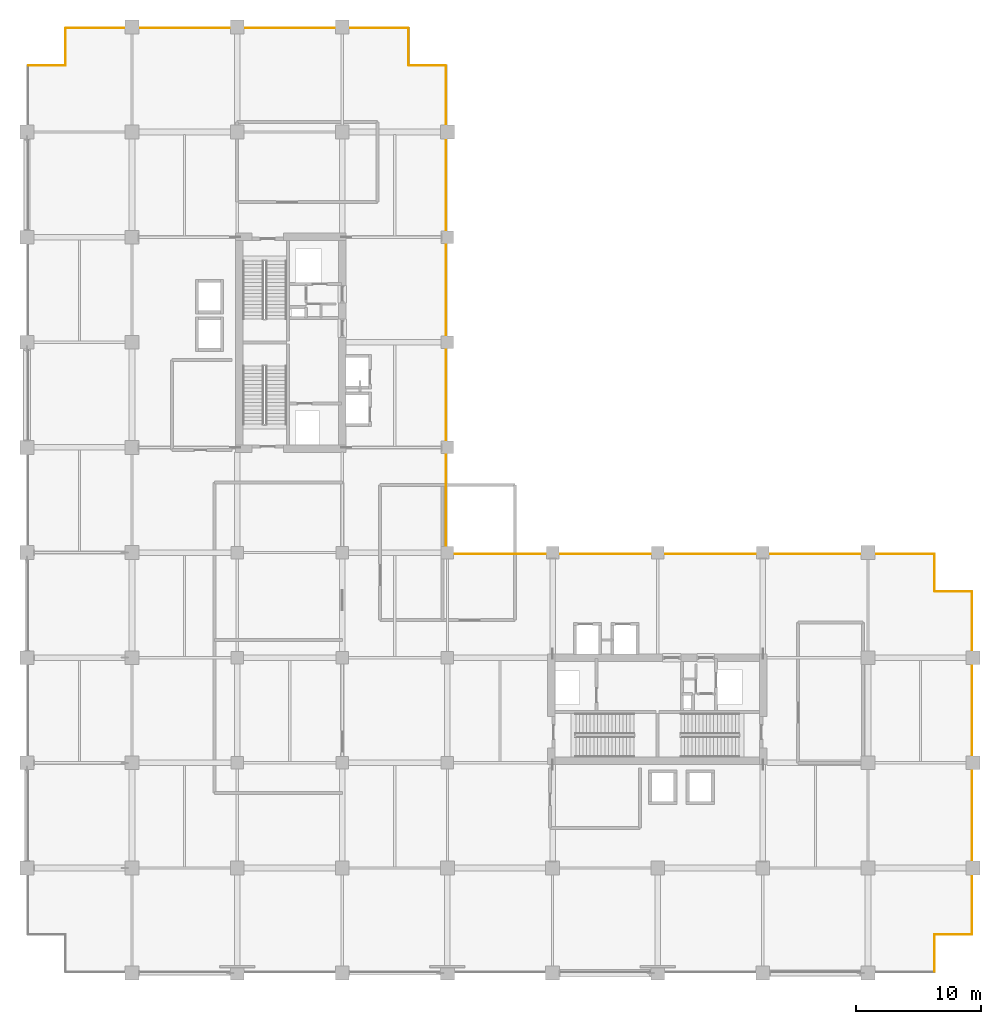
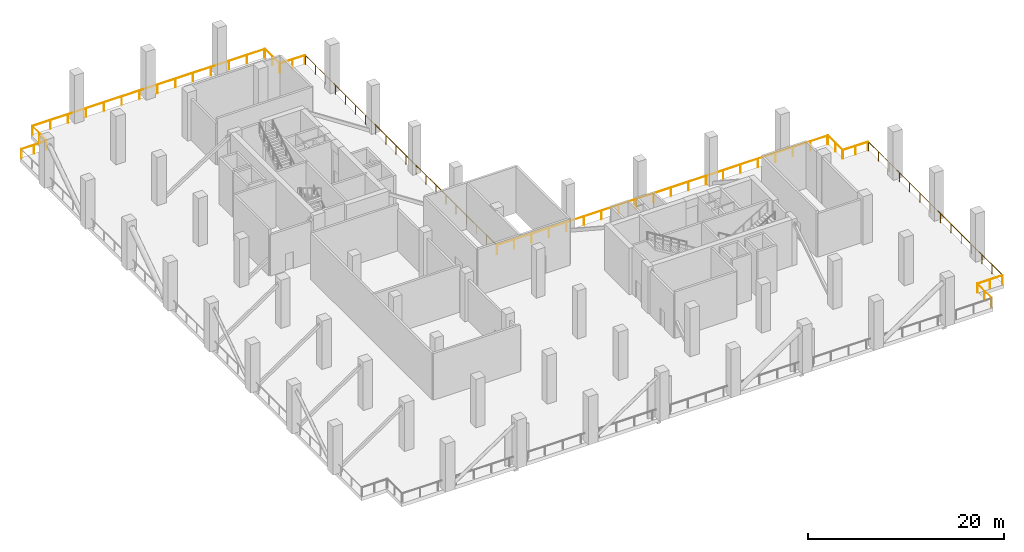
# One storey, part 18 of 18: 12 railings.
"""IFC4 building model written with IfcOpenShell, lengths in metres."""

from ifc_helpers import new_model, si_unit, direction, frame, origin, origin_2d, place, context, subcontext, project, spatial, circle, extrude, material, type_object, element, save


model = new_model("IFC4")

# Units and contexts
model_context = context("Model", 3, precision=1e-05, world=origin(), true_north=direction((0.0, 1.0)))
body_context = subcontext(model_context, "Body", "Model", "MODEL_VIEW")
ifc_project = project(units=[si_unit("LENGTHUNIT", "METRE"), si_unit("AREAUNIT", "SQUARE_METRE"), si_unit("VOLUMEUNIT", "CUBIC_METRE"), si_unit("PLANEANGLEUNIT", "RADIAN"), si_unit("MASSUNIT", "GRAM", prefix="KILO")], contexts=[model_context])

# Site, building, storey
site_placement = place(None, origin())
site = spatial("IfcSite", under=ifc_project, at=site_placement, CompositionType="ELEMENT")
building_placement = place(site_placement, origin())
building = spatial("IfcBuilding", under=site, at=building_placement, Name="Koriwani Terraces Tower", CompositionType="ELEMENT")
storey_placement = place(building_placement, frame((0.0, 0.0, 228.199951171875)))
storey = spatial("IfcBuildingStorey", under=building, at=storey_placement, Name="L56", CompositionType="ELEMENT", Elevation=228.199951171875)

# Railings
ifc_material = material(Name="Steel ASTM A572 Grade 50", Category="steel")
railing_type = type_object("IfcRailingType", Name="GUARD_BALUSTRADE_1150", PredefinedType="BALUSTRADE", material=ifc_material)
railing_1_placement = place(storey_placement, frame((0.135009765625, 72.5, 0.0)))
element("IfcRailing", 1, at=railing_1_placement, inside=storey, type_object=railing_type, Name="L56 Open Wind Floor Perimeter Balustrade Segment 4", PredefinedType="BALUSTRADE", context=body_context, shape_type="SweptSolid", body=[
    extrude(circle(Radius=0.02490234375, at=origin_2d()), frame((0.0, 0.0, 1.125), z_axis=(1.0, 0.0, 0.0), x_axis=(0.0, 1.0, 0.0)), (0.0, 0.0, 1.0), 2.929931640625),
    extrude(circle(Radius=0.0224609375, at=origin_2d()), origin(), (0.0, 0.0, 1.0), 1.099853515625),
    extrude(circle(Radius=0.0224609375, at=origin_2d()), frame((1.46484375, 0.0, 0.0)), (0.0, 0.0, 1.0), 1.099853515625),
    extrude(circle(Radius=0.0224609375, at=origin_2d()), frame((2.929931640625, 0.0, 0.0)), (0.0, 0.0, 1.0), 1.099853515625),
])
railing_2_placement = place(storey_placement, frame((3.10009765625, 72.534912109375, 0.0)))
element("IfcRailing", 2, at=railing_2_placement, inside=storey, type_object=railing_type, Name="L56 Open Wind Floor Perimeter Balustrade Segment 5", PredefinedType="BALUSTRADE", context=body_context, shape_type="SweptSolid", body=[
    extrude(circle(Radius=0.02490234375, at=origin_2d()), frame((0.0, 0.0, 1.125), z_axis=(0.0, 1.0, 0.0), x_axis=(-1.0, 0.0, 0.0)), (0.0, 0.0, 1.0), 2.93017578125),
    extrude(circle(Radius=0.0224609375, at=origin_2d()), origin(), (0.0, 0.0, 1.0), 1.099853515625),
    extrude(circle(Radius=0.0224609375, at=origin_2d()), frame((0.0, 1.465087890625, 0.0)), (0.0, 0.0, 1.0), 1.099853515625),
    extrude(circle(Radius=0.0224609375, at=origin_2d()), frame((0.0, 2.93017578125, 0.0)), (0.0, 0.0, 1.0), 1.099853515625),
])
railing_3_placement = place(storey_placement, frame((3.135009765625, 75.5, 0.0)))
element("IfcRailing", 3, at=railing_3_placement, inside=storey, type_object=railing_type, Name="L56 Open Wind Floor Perimeter Balustrade Segment 6", PredefinedType="BALUSTRADE", context=body_context, shape_type="SweptSolid", body=[
    extrude(circle(Radius=0.02490234375, at=origin_2d()), frame((0.0, 0.0, 1.125), z_axis=(1.0, 0.0, 0.0), x_axis=(0.0, 1.0, 0.0)), (0.0, 0.0, 1.0), 27.330078125),
    extrude(circle(Radius=0.0224609375, at=origin_2d()), origin(), (0.0, 0.0, 1.0), 1.099853515625),
    extrude(circle(Radius=0.0224609375, at=origin_2d()), frame((2.102294921875, 0.0, 0.0)), (0.0, 0.0, 1.0), 1.099853515625),
    extrude(circle(Radius=0.0224609375, at=origin_2d()), frame((4.20458984375, 0.0, 0.0)), (0.0, 0.0, 1.0), 1.099853515625),
    extrude(circle(Radius=0.0224609375, at=origin_2d()), frame((6.306884765625, 0.0, 0.0)), (0.0, 0.0, 1.0), 1.099853515625),
    extrude(circle(Radius=0.0224609375, at=origin_2d()), frame((8.4091796875, 0.0, 0.0)), (0.0, 0.0, 1.0), 1.099853515625),
    extrude(circle(Radius=0.0224609375, at=origin_2d()), frame((10.511474609375, 0.0, 0.0)), (0.0, 0.0, 1.0), 1.099853515625),
    extrude(circle(Radius=0.0224609375, at=origin_2d()), frame((12.61376953125, 0.0, 0.0)), (0.0, 0.0, 1.0), 1.099853515625),
    extrude(circle(Radius=0.0224609375, at=origin_2d()), frame((14.71630859375, 0.0, 0.0)), (0.0, 0.0, 1.0), 1.099853515625),
    extrude(circle(Radius=0.0224609375, at=origin_2d()), frame((16.818603515625, 0.0, 0.0)), (0.0, 0.0, 1.0), 1.099853515625),
    extrude(circle(Radius=0.0224609375, at=origin_2d()), frame((18.9208984375, 0.0, 0.0)), (0.0, 0.0, 1.0), 1.099853515625),
    extrude(circle(Radius=0.0224609375, at=origin_2d()), frame((21.023193359375, 0.0, 0.0)), (0.0, 0.0, 1.0), 1.099853515625),
    extrude(circle(Radius=0.0224609375, at=origin_2d()), frame((23.12548828125, 0.0, 0.0)), (0.0, 0.0, 1.0), 1.099853515625),
    extrude(circle(Radius=0.0224609375, at=origin_2d()), frame((25.227783203125, 0.0, 0.0)), (0.0, 0.0, 1.0), 1.099853515625),
    extrude(circle(Radius=0.0224609375, at=origin_2d()), frame((27.330078125, 0.0, 0.0)), (0.0, 0.0, 1.0), 1.099853515625),
])
railing_4_placement = place(storey_placement, frame((30.5, 75.465087890625, 0.0)))
element("IfcRailing", 4, at=railing_4_placement, inside=storey, type_object=railing_type, Name="L56 Open Wind Floor Perimeter Balustrade Segment 7", PredefinedType="BALUSTRADE", context=body_context, shape_type="SweptSolid", body=[
    extrude(circle(Radius=0.02490234375, at=origin_2d()), frame((0.0, 0.0, 1.125), z_axis=(0.0, -1.0, 0.0), x_axis=(1.0, 0.0, 0.0)), (0.0, 0.0, 1.0), 2.93017578125),
    extrude(circle(Radius=0.0224609375, at=origin_2d()), origin(), (0.0, 0.0, 1.0), 1.099853515625),
    extrude(circle(Radius=0.0224609375, at=origin_2d()), frame((0.0, -1.465087890625, 0.0)), (0.0, 0.0, 1.0), 1.099853515625),
    extrude(circle(Radius=0.0224609375, at=origin_2d()), frame((0.0, -2.93017578125, 0.0)), (0.0, 0.0, 1.0), 1.099853515625),
])
railing_5_placement = place(storey_placement, frame((30.534912109375, 72.5, 0.0)))
element("IfcRailing", 5, at=railing_5_placement, inside=storey, type_object=railing_type, Name="L56 Open Wind Floor Perimeter Balustrade Segment 8", PredefinedType="BALUSTRADE", context=body_context, shape_type="SweptSolid", body=[
    extrude(circle(Radius=0.02490234375, at=origin_2d()), frame((0.0, 0.0, 1.125), z_axis=(1.0, 0.0, 0.0), x_axis=(0.0, 1.0, 0.0)), (0.0, 0.0, 1.0), 2.93017578125),
    extrude(circle(Radius=0.0224609375, at=origin_2d()), origin(), (0.0, 0.0, 1.0), 1.099853515625),
    extrude(circle(Radius=0.0224609375, at=origin_2d()), frame((1.465087890625, 0.0, 0.0)), (0.0, 0.0, 1.0), 1.099853515625),
    extrude(circle(Radius=0.0224609375, at=origin_2d()), frame((2.93017578125, 0.0, 0.0)), (0.0, 0.0, 1.0), 1.099853515625),
])
railing_6_placement = place(storey_placement, frame((33.5, 72.465087890625, 0.0)))
element("IfcRailing", 6, at=railing_6_placement, inside=storey, type_object=railing_type, Name="L56 Open Wind Floor Perimeter Balustrade Segment 9", PredefinedType="BALUSTRADE", context=body_context, shape_type="SweptSolid", body=[
    extrude(circle(Radius=0.02490234375, at=origin_2d()), frame((0.0, 0.0, 1.125), z_axis=(0.0, -1.0, 0.0), x_axis=(1.0, 0.0, 0.0)), (0.0, 0.0, 1.0), 38.93017578125),
    extrude(circle(Radius=0.0224609375, at=origin_2d()), origin(), (0.0, 0.0, 1.0), 1.099853515625),
    extrude(circle(Radius=0.0224609375, at=origin_2d()), frame((0.0, -2.049072265625, 0.0)), (0.0, 0.0, 1.0), 1.099853515625),
    extrude(circle(Radius=0.0224609375, at=origin_2d()), frame((0.0, -4.097900390625, 0.0)), (0.0, 0.0, 1.0), 1.099853515625),
    extrude(circle(Radius=0.0224609375, at=origin_2d()), frame((0.0, -6.14697265625, 0.0)), (0.0, 0.0, 1.0), 1.099853515625),
    extrude(circle(Radius=0.0224609375, at=origin_2d()), frame((0.0, -8.19580078125, 0.0)), (0.0, 0.0, 1.0), 1.099853515625),
    extrude(circle(Radius=0.0224609375, at=origin_2d()), frame((0.0, -10.244873046875, 0.0)), (0.0, 0.0, 1.0), 1.099853515625),
    extrude(circle(Radius=0.0224609375, at=origin_2d()), frame((0.0, -12.293701171875, 0.0)), (0.0, 0.0, 1.0), 1.099853515625),
    extrude(circle(Radius=0.0224609375, at=origin_2d()), frame((0.0, -14.3427734375, 0.0)), (0.0, 0.0, 1.0), 1.099853515625),
    extrude(circle(Radius=0.0224609375, at=origin_2d()), frame((0.0, -16.3916015625, 0.0)), (0.0, 0.0, 1.0), 1.099853515625),
    extrude(circle(Radius=0.0224609375, at=origin_2d()), frame((0.0, -18.440673828125, 0.0)), (0.0, 0.0, 1.0), 1.099853515625),
    extrude(circle(Radius=0.0224609375, at=origin_2d()), frame((0.0, -20.489501953125, 0.0)), (0.0, 0.0, 1.0), 1.099853515625),
    extrude(circle(Radius=0.0224609375, at=origin_2d()), frame((0.0, -22.53857421875, 0.0)), (0.0, 0.0, 1.0), 1.099853515625),
    extrude(circle(Radius=0.0224609375, at=origin_2d()), frame((0.0, -24.58740234375, 0.0)), (0.0, 0.0, 1.0), 1.099853515625),
    extrude(circle(Radius=0.0224609375, at=origin_2d()), frame((0.0, -26.636474609375, 0.0)), (0.0, 0.0, 1.0), 1.099853515625),
    extrude(circle(Radius=0.0224609375, at=origin_2d()), frame((0.0, -28.685302734375, 0.0)), (0.0, 0.0, 1.0), 1.099853515625),
    extrude(circle(Radius=0.0224609375, at=origin_2d()), frame((0.0, -30.734375, 0.0)), (0.0, 0.0, 1.0), 1.099853515625),
    extrude(circle(Radius=0.0224609375, at=origin_2d()), frame((0.0, -32.783203125, 0.0)), (0.0, 0.0, 1.0), 1.099853515625),
    extrude(circle(Radius=0.0224609375, at=origin_2d()), frame((0.0, -34.832275390625, 0.0)), (0.0, 0.0, 1.0), 1.099853515625),
    extrude(circle(Radius=0.0224609375, at=origin_2d()), frame((0.0, -36.881103515625, 0.0)), (0.0, 0.0, 1.0), 1.099853515625),
    extrude(circle(Radius=0.0224609375, at=origin_2d()), frame((0.0, -38.93017578125, 0.0)), (0.0, 0.0, 1.0), 1.099853515625),
])
railing_7_placement = place(storey_placement, frame((33.534912109375, 33.5, 0.0)))
element("IfcRailing", 7, at=railing_7_placement, inside=storey, type_object=railing_type, Name="L56 Open Wind Floor Perimeter Balustrade Segment 10", PredefinedType="BALUSTRADE", context=body_context, shape_type="SweptSolid", body=[
    extrude(circle(Radius=0.02490234375, at=origin_2d()), frame((0.0, 0.0, 1.125), z_axis=(1.0, 0.0, 0.0), x_axis=(0.0, 1.0, 0.0)), (0.0, 0.0, 1.0), 38.93017578125),
    extrude(circle(Radius=0.0224609375, at=origin_2d()), origin(), (0.0, 0.0, 1.0), 1.099853515625),
    extrude(circle(Radius=0.0224609375, at=origin_2d()), frame((2.049072265625, 0.0, 0.0)), (0.0, 0.0, 1.0), 1.099853515625),
    extrude(circle(Radius=0.0224609375, at=origin_2d()), frame((4.097900390625, 0.0, 0.0)), (0.0, 0.0, 1.0), 1.099853515625),
    extrude(circle(Radius=0.0224609375, at=origin_2d()), frame((6.14697265625, 0.0, 0.0)), (0.0, 0.0, 1.0), 1.099853515625),
    extrude(circle(Radius=0.0224609375, at=origin_2d()), frame((8.19580078125, 0.0, 0.0)), (0.0, 0.0, 1.0), 1.099853515625),
    extrude(circle(Radius=0.0224609375, at=origin_2d()), frame((10.244873046875, 0.0, 0.0)), (0.0, 0.0, 1.0), 1.099853515625),
    extrude(circle(Radius=0.0224609375, at=origin_2d()), frame((12.293701171875, 0.0, 0.0)), (0.0, 0.0, 1.0), 1.099853515625),
    extrude(circle(Radius=0.0224609375, at=origin_2d()), frame((14.3427734375, 0.0, 0.0)), (0.0, 0.0, 1.0), 1.099853515625),
    extrude(circle(Radius=0.0224609375, at=origin_2d()), frame((16.3916015625, 0.0, 0.0)), (0.0, 0.0, 1.0), 1.099853515625),
    extrude(circle(Radius=0.0224609375, at=origin_2d()), frame((18.440673828125, 0.0, 0.0)), (0.0, 0.0, 1.0), 1.099853515625),
    extrude(circle(Radius=0.0224609375, at=origin_2d()), frame((20.489501953125, 0.0, 0.0)), (0.0, 0.0, 1.0), 1.099853515625),
    extrude(circle(Radius=0.0224609375, at=origin_2d()), frame((22.53857421875, 0.0, 0.0)), (0.0, 0.0, 1.0), 1.099853515625),
    extrude(circle(Radius=0.0224609375, at=origin_2d()), frame((24.58740234375, 0.0, 0.0)), (0.0, 0.0, 1.0), 1.099853515625),
    extrude(circle(Radius=0.0224609375, at=origin_2d()), frame((26.636474609375, 0.0, 0.0)), (0.0, 0.0, 1.0), 1.099853515625),
    extrude(circle(Radius=0.0224609375, at=origin_2d()), frame((28.685302734375, 0.0, 0.0)), (0.0, 0.0, 1.0), 1.099853515625),
    extrude(circle(Radius=0.0224609375, at=origin_2d()), frame((30.734375, 0.0, 0.0)), (0.0, 0.0, 1.0), 1.099853515625),
    extrude(circle(Radius=0.0224609375, at=origin_2d()), frame((32.783203125, 0.0, 0.0)), (0.0, 0.0, 1.0), 1.099853515625),
    extrude(circle(Radius=0.0224609375, at=origin_2d()), frame((34.832275390625, 0.0, 0.0)), (0.0, 0.0, 1.0), 1.099853515625),
    extrude(circle(Radius=0.0224609375, at=origin_2d()), frame((36.881103515625, 0.0, 0.0)), (0.0, 0.0, 1.0), 1.099853515625),
    extrude(circle(Radius=0.0224609375, at=origin_2d()), frame((38.93017578125, 0.0, 0.0)), (0.0, 0.0, 1.0), 1.099853515625),
])
railing_8_placement = place(storey_placement, frame((72.5, 33.465087890625, 0.0)))
element("IfcRailing", 8, at=railing_8_placement, inside=storey, type_object=railing_type, Name="L56 Open Wind Floor Perimeter Balustrade Segment 11", PredefinedType="BALUSTRADE", context=body_context, shape_type="SweptSolid", body=[
    extrude(circle(Radius=0.02490234375, at=origin_2d()), frame((0.0, 0.0, 1.125), z_axis=(0.0, -1.0, 0.0), x_axis=(1.0, 0.0, 0.0)), (0.0, 0.0, 1.0), 2.93017578125),
    extrude(circle(Radius=0.0224609375, at=origin_2d()), origin(), (0.0, 0.0, 1.0), 1.099853515625),
    extrude(circle(Radius=0.0224609375, at=origin_2d()), frame((0.0, -1.465087890625, 0.0)), (0.0, 0.0, 1.0), 1.099853515625),
    extrude(circle(Radius=0.0224609375, at=origin_2d()), frame((0.0, -2.93017578125, 0.0)), (0.0, 0.0, 1.0), 1.099853515625),
])
railing_9_placement = place(storey_placement, frame((72.534912109375, 30.5, 0.0)))
element("IfcRailing", 9, at=railing_9_placement, inside=storey, type_object=railing_type, Name="L56 Open Wind Floor Perimeter Balustrade Segment 12", PredefinedType="BALUSTRADE", context=body_context, shape_type="SweptSolid", body=[
    extrude(circle(Radius=0.02490234375, at=origin_2d()), frame((0.0, 0.0, 1.125), z_axis=(1.0, 0.0, 0.0), x_axis=(0.0, 1.0, 0.0)), (0.0, 0.0, 1.0), 2.93017578125),
    extrude(circle(Radius=0.0224609375, at=origin_2d()), origin(), (0.0, 0.0, 1.0), 1.099853515625),
    extrude(circle(Radius=0.0224609375, at=origin_2d()), frame((1.465087890625, 0.0, 0.0)), (0.0, 0.0, 1.0), 1.099853515625),
    extrude(circle(Radius=0.0224609375, at=origin_2d()), frame((2.93017578125, 0.0, 0.0)), (0.0, 0.0, 1.0), 1.099853515625),
])
railing_10_placement = place(storey_placement, frame((75.5, 30.465087890625, 0.0)))
element("IfcRailing", 10, at=railing_10_placement, inside=storey, type_object=railing_type, Name="L56 Open Wind Floor Perimeter Balustrade Segment 13", PredefinedType="BALUSTRADE", context=body_context, shape_type="SweptSolid", body=[
    extrude(circle(Radius=0.02490234375, at=origin_2d()), frame((0.0, 0.0, 1.125), z_axis=(0.0, -1.0, 0.0), x_axis=(1.0, 0.0, 0.0)), (0.0, 0.0, 1.0), 27.330078125),
    extrude(circle(Radius=0.0224609375, at=origin_2d()), origin(), (0.0, 0.0, 1.0), 1.099853515625),
    extrude(circle(Radius=0.0224609375, at=origin_2d()), frame((0.0, -2.102294921875, 0.0)), (0.0, 0.0, 1.0), 1.099853515625),
    extrude(circle(Radius=0.0224609375, at=origin_2d()), frame((0.0, -4.20458984375, 0.0)), (0.0, 0.0, 1.0), 1.099853515625),
    extrude(circle(Radius=0.0224609375, at=origin_2d()), frame((0.0, -6.306884765625, 0.0)), (0.0, 0.0, 1.0), 1.099853515625),
    extrude(circle(Radius=0.0224609375, at=origin_2d()), frame((0.0, -8.4091796875, 0.0)), (0.0, 0.0, 1.0), 1.099853515625),
    extrude(circle(Radius=0.0224609375, at=origin_2d()), frame((0.0, -10.511474609375, 0.0)), (0.0, 0.0, 1.0), 1.099853515625),
    extrude(circle(Radius=0.0224609375, at=origin_2d()), frame((0.0, -12.61376953125, 0.0)), (0.0, 0.0, 1.0), 1.099853515625),
    extrude(circle(Radius=0.0224609375, at=origin_2d()), frame((0.0, -14.71630859375, 0.0)), (0.0, 0.0, 1.0), 1.099853515625),
    extrude(circle(Radius=0.0224609375, at=origin_2d()), frame((0.0, -16.818603515625, 0.0)), (0.0, 0.0, 1.0), 1.099853515625),
    extrude(circle(Radius=0.0224609375, at=origin_2d()), frame((0.0, -18.9208984375, 0.0)), (0.0, 0.0, 1.0), 1.099853515625),
    extrude(circle(Radius=0.0224609375, at=origin_2d()), frame((0.0, -21.023193359375, 0.0)), (0.0, 0.0, 1.0), 1.099853515625),
    extrude(circle(Radius=0.0224609375, at=origin_2d()), frame((0.0, -23.12548828125, 0.0)), (0.0, 0.0, 1.0), 1.099853515625),
    extrude(circle(Radius=0.0224609375, at=origin_2d()), frame((0.0, -25.227783203125, 0.0)), (0.0, 0.0, 1.0), 1.099853515625),
    extrude(circle(Radius=0.0224609375, at=origin_2d()), frame((0.0, -27.330078125, 0.0)), (0.0, 0.0, 1.0), 1.099853515625),
])
railing_11_placement = place(storey_placement, frame((75.465087890625, 3.10009765625, 0.0)))
element("IfcRailing", 11, at=railing_11_placement, inside=storey, type_object=railing_type, Name="L56 Open Wind Floor Perimeter Balustrade Segment 14", PredefinedType="BALUSTRADE", context=body_context, shape_type="SweptSolid", body=[
    extrude(circle(Radius=0.02490234375, at=origin_2d()), frame((0.0, 0.0, 1.125), z_axis=(-1.0, 0.0, 0.0), x_axis=(0.0, -1.0, 0.0)), (0.0, 0.0, 1.0), 2.93017578125),
    extrude(circle(Radius=0.0224609375, at=origin_2d()), origin(), (0.0, 0.0, 1.0), 1.099853515625),
    extrude(circle(Radius=0.0224609375, at=origin_2d()), frame((-1.465087890625, 0.0, 0.0)), (0.0, 0.0, 1.0), 1.099853515625),
    extrude(circle(Radius=0.0224609375, at=origin_2d()), frame((-2.93017578125, 0.0, 0.0)), (0.0, 0.0, 1.0), 1.099853515625),
])
railing_12_placement = place(storey_placement, frame((72.5, 3.06494140625, 0.0)))
element("IfcRailing", 12, at=railing_12_placement, inside=storey, type_object=railing_type, Name="L56 Open Wind Floor Perimeter Balustrade Segment 15", PredefinedType="BALUSTRADE", context=body_context, shape_type="SweptSolid", body=[
    extrude(circle(Radius=0.02490234375, at=origin_2d()), frame((0.0, 0.0, 1.125), z_axis=(0.0, -1.0, 0.0), x_axis=(1.0, 0.0, 0.0)), (0.0, 0.0, 1.0), 2.929931640625),
    extrude(circle(Radius=0.0224609375, at=origin_2d()), origin(), (0.0, 0.0, 1.0), 1.099853515625),
    extrude(circle(Radius=0.0224609375, at=origin_2d()), frame((0.0, -1.46484375, 0.0)), (0.0, 0.0, 1.0), 1.099853515625),
    extrude(circle(Radius=0.0224609375, at=origin_2d()), frame((0.0, -2.929931640625, 0.0)), (0.0, 0.0, 1.0), 1.099853515625),
])

save(model, "model.ifc")
